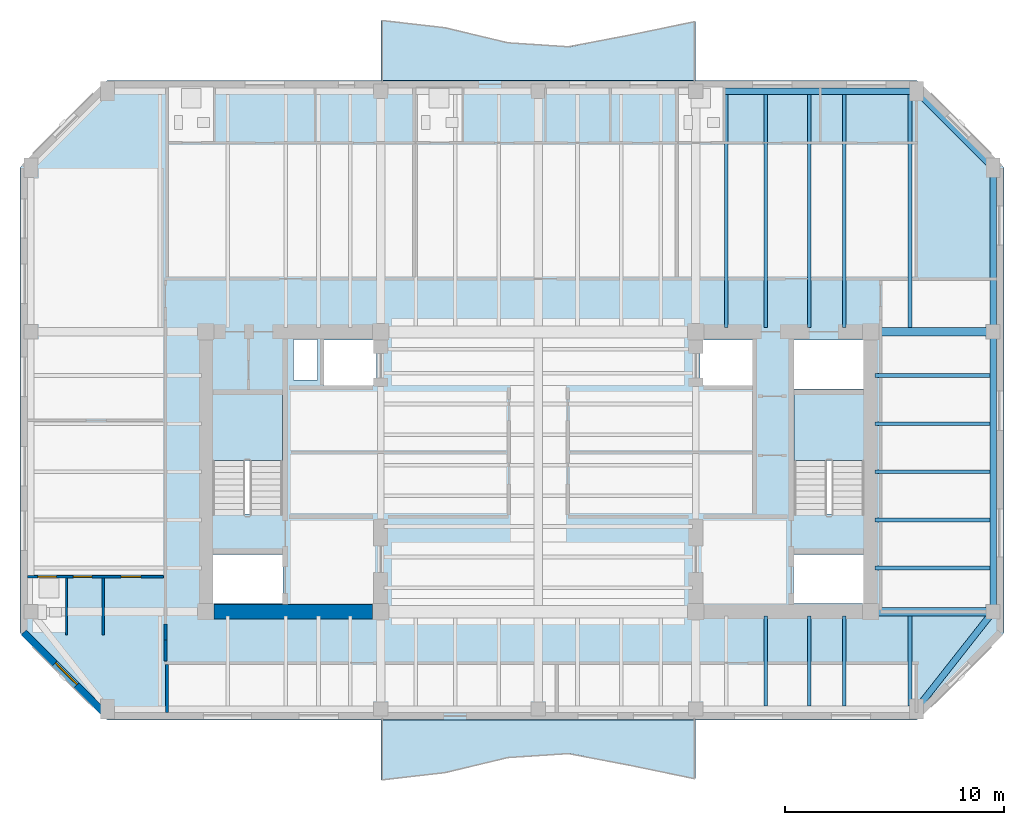
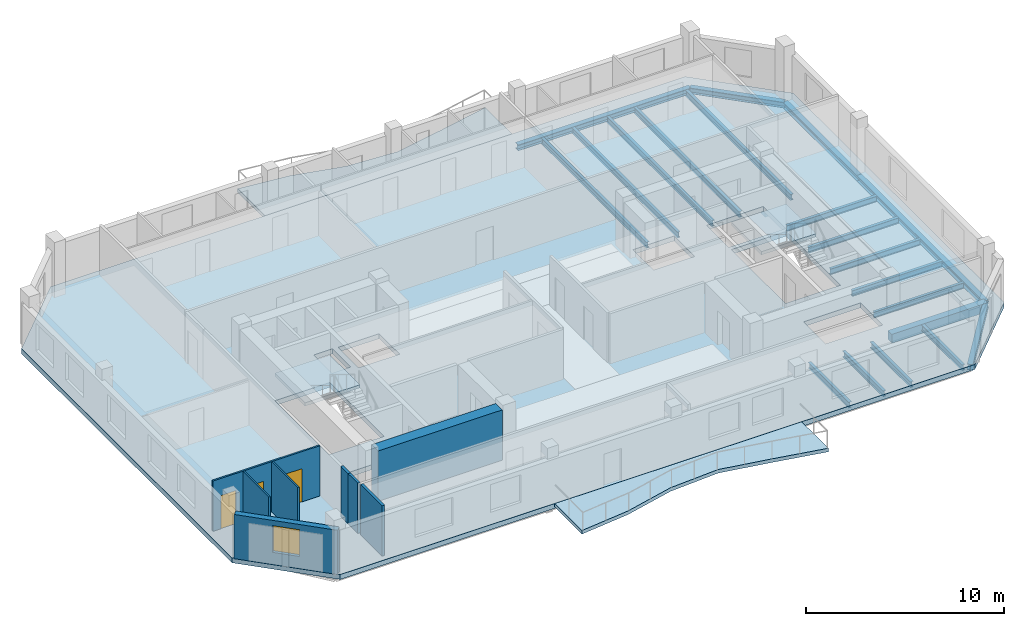
# One storey, part 2 of 10: 21 beams, 8 walls, 5 slabs, 3 doors, 1 window, 4 openings, 2 elements without a shape of their own.
"""IFC4 building model written with IfcOpenShell, lengths in metres."""

from ifc_helpers import new_model, si_unit, direction, frame, frame_2d, origin, origin_2d, place, context, subcontext, project, spatial, polyline, rectangle, i_section, outline, extrude, material, layer, layer_set, material_profile, profile_set, type_object, element, fill, aggregate, save


model = new_model("IFC4")

# Units and contexts
model_context = context("Model", 3, precision=1e-05, world=origin(), true_north=direction((0.0, 1.0)))
body_context = subcontext(model_context, "Body", "Model", "MODEL_VIEW")
ifc_project = project(units=[si_unit("LENGTHUNIT", "METRE"), si_unit("AREAUNIT", "SQUARE_METRE"), si_unit("VOLUMEUNIT", "CUBIC_METRE"), si_unit("PLANEANGLEUNIT", "RADIAN"), si_unit("MASSUNIT", "GRAM", prefix="KILO")], contexts=[model_context])

# Site, building, storey
site_placement = place(None, origin())
site = spatial("IfcSite", under=ifc_project, at=site_placement, CompositionType="ELEMENT")
building_placement = place(site_placement, origin())
building = spatial("IfcBuilding", under=site, at=building_placement, Name="Kranthara Brick Stack", CompositionType="ELEMENT")
storey_placement = place(building_placement, frame((0.0, 0.0, 275.5)))
storey = spatial("IfcBuildingStorey", under=building, at=storey_placement, Name="L73", CompositionType="ELEMENT", Elevation=275.5)

# Beams
ifc_material_1 = material(Name="Post-tensioned concrete C45/55", Category="concrete")
ifc_material_profile_1 = material_profile(ifc_material_1, rectangle(XDim=0.39990234375, YDim=0.550048828125, at=origin_2d()), Name="PT 400x550")
ifc_profile_set_1 = profile_set([ifc_material_profile_1], Name="Post-tensioned concrete C45/55")
beam_type_1 = type_object("IfcBeamType", Name="BM-FLR-PT550", PredefinedType="BEAM", material=ifc_profile_set_1)
for number, where, z_axis, x_axis, name in (
    (1, (43.199951171875, 20.800048828125, -0.574951171875), (1.0, 0.0, 0.0), (0.0, 1.0, 0.0), "L73 Primary Grid Girder 029"),
    (2, (43.199951171875, 33.60009765625, -0.574951171875), (1.0, 0.0, 0.0), (0.0, 1.0, 0.0), "L73 Primary Grid Girder 031"),
):
    element("IfcBeam", number, at=place(storey_placement, frame(where, z_axis=z_axis, x_axis=x_axis)), inside=storey, type_object=beam_type_1, Name=name, PredefinedType="BEAM", context=body_context, shape_type="SweptSolid", body=[
        extrude(rectangle(XDim=0.39990234375, YDim=0.550048828125, at=origin_2d()), origin(), (0.0, 0.0, 1.0), 5.60009765625),
    ])
ifc_material_2 = material(Name="Steel S355", Category="steel")
ifc_material_profile_2 = material_profile(ifc_material_2, i_section(OverallWidth=0.169921875, OverallDepth=0.360107421875, WebThickness=0.008056640625, FlangeThickness=0.0126953125, at=origin_2d()), Name="IPE 360")
ifc_profile_set_2 = profile_set([ifc_material_profile_2], Name="Steel S355")
beam_type_2 = type_object("IfcBeamType", Name="BM-JST-IPE360", PredefinedType="JOIST", material=ifc_profile_set_2)
beam_1_placement = place(storey_placement, frame((36.60009765625, 33.800048828125, -0.47998046875), z_axis=(0.0, 1.0, 0.0), x_axis=(-1.0, 0.0, 0.0)))
element("IfcBeam", 3, at=beam_1_placement, inside=storey, type_object=beam_type_2, Name="L73 North Wing Floor Joist 073", PredefinedType="JOIST", context=body_context, shape_type="SweptSolid", body=[
    extrude(i_section(OverallWidth=0.169921875, OverallDepth=0.360107421875, WebThickness=0.008056640625, FlangeThickness=0.0126953125, at=origin_2d()), origin(), (0.0, 0.0, 1.0), 10.64990234375),
])
beam_2_placement = place(storey_placement, frame((38.39990234375, 16.5, -0.47998046875), z_axis=(0.0, 1.0, 0.0), x_axis=(-1.0, 0.0, 0.0)))
element("IfcBeam", 4, at=beam_2_placement, inside=storey, type_object=beam_type_2, Name="L73 South Wing Floor Joist 074", PredefinedType="JOIST", context=body_context, shape_type="SweptSolid", body=[
    extrude(i_section(OverallWidth=0.169921875, OverallDepth=0.360107421875, WebThickness=0.008056640625, FlangeThickness=0.0126953125, at=origin_2d()), origin(), (0.0, 0.0, 1.0), 4.10009765625),
])
beam_3_placement = place(storey_placement, frame((38.39990234375, 33.800048828125, -0.47998046875), z_axis=(0.0, 1.0, 0.0), x_axis=(-1.0, 0.0, 0.0)))
element("IfcBeam", 5, at=beam_3_placement, inside=storey, type_object=beam_type_2, Name="L73 North Wing Floor Joist 075", PredefinedType="JOIST", context=body_context, shape_type="SweptSolid", body=[
    extrude(i_section(OverallWidth=0.169921875, OverallDepth=0.360107421875, WebThickness=0.008056640625, FlangeThickness=0.0126953125, at=origin_2d()), origin(), (0.0, 0.0, 1.0), 10.64990234375),
])
beam_4_placement = place(storey_placement, frame((40.39990234375, 16.5, -0.47998046875), z_axis=(0.0, 1.0, 0.0), x_axis=(-1.0, 0.0, 0.0)))
element("IfcBeam", 6, at=beam_4_placement, inside=storey, type_object=beam_type_2, Name="L73 South Wing Floor Joist 076", PredefinedType="JOIST", context=body_context, shape_type="SweptSolid", body=[
    extrude(i_section(OverallWidth=0.169921875, OverallDepth=0.360107421875, WebThickness=0.008056640625, FlangeThickness=0.0126953125, at=origin_2d()), origin(), (0.0, 0.0, 1.0), 4.10009765625),
])
beam_5_placement = place(storey_placement, frame((40.39990234375, 33.800048828125, -0.47998046875), z_axis=(0.0, 1.0, 0.0), x_axis=(-1.0, 0.0, 0.0)))
element("IfcBeam", 7, at=beam_5_placement, inside=storey, type_object=beam_type_2, Name="L73 North Wing Floor Joist 077", PredefinedType="JOIST", context=body_context, shape_type="SweptSolid", body=[
    extrude(i_section(OverallWidth=0.169921875, OverallDepth=0.360107421875, WebThickness=0.008056640625, FlangeThickness=0.0126953125, at=origin_2d()), origin(), (0.0, 0.0, 1.0), 10.64990234375),
])
beam_6_placement = place(storey_placement, frame((42.0, 16.5, -0.47998046875), z_axis=(0.0, 1.0, 0.0), x_axis=(-1.0, 0.0, 0.0)))
element("IfcBeam", 8, at=beam_6_placement, inside=storey, type_object=beam_type_2, Name="L73 South Wing Floor Joist 078", PredefinedType="JOIST", context=body_context, shape_type="SweptSolid", body=[
    extrude(i_section(OverallWidth=0.169921875, OverallDepth=0.360107421875, WebThickness=0.008056640625, FlangeThickness=0.0126953125, at=origin_2d()), origin(), (0.0, 0.0, 1.0), 4.10009765625),
])
beam_7_placement = place(storey_placement, frame((42.0, 33.800048828125, -0.47998046875), z_axis=(0.0, 1.0, 0.0), x_axis=(-1.0, 0.0, 0.0)))
element("IfcBeam", 9, at=beam_7_placement, inside=storey, type_object=beam_type_2, Name="L73 North Wing Floor Joist 079", PredefinedType="JOIST", context=body_context, shape_type="SweptSolid", body=[
    extrude(i_section(OverallWidth=0.169921875, OverallDepth=0.360107421875, WebThickness=0.008056640625, FlangeThickness=0.0126953125, at=origin_2d()), origin(), (0.0, 0.0, 1.0), 10.64990234375),
])
beam_8_placement = place(storey_placement, frame((45.0, 16.5, -0.47998046875), z_axis=(0.0, 1.0, 0.0), x_axis=(-1.0, 0.0, 0.0)))
element("IfcBeam", 10, at=beam_8_placement, inside=storey, type_object=beam_type_2, Name="L73 South Wing Floor Joist 080", PredefinedType="JOIST", context=body_context, shape_type="SweptSolid", body=[
    extrude(i_section(OverallWidth=0.169921875, OverallDepth=0.360107421875, WebThickness=0.008056640625, FlangeThickness=0.0126953125, at=origin_2d()), origin(), (0.0, 0.0, 1.0), 4.10009765625),
])
beam_9_placement = place(storey_placement, frame((45.0, 33.800048828125, -0.47998046875), z_axis=(0.0, 1.0, 0.0), x_axis=(-1.0, 0.0, 0.0)))
element("IfcBeam", 11, at=beam_9_placement, inside=storey, type_object=beam_type_2, Name="L73 North Wing Floor Joist 081", PredefinedType="JOIST", context=body_context, shape_type="SweptSolid", body=[
    extrude(i_section(OverallWidth=0.169921875, OverallDepth=0.360107421875, WebThickness=0.008056640625, FlangeThickness=0.0126953125, at=origin_2d()), origin(), (0.0, 0.0, 1.0), 10.64990234375),
])
for number, where, z_axis, x_axis, name in (
    (12, (43.39990234375, 22.800048828125, -0.47998046875), (1.0, 0.0, 0.0), (0.0, 1.0, 0.0), "L73 East Wing Floor Joist 083"),
    (13, (43.39990234375, 25.0, -0.47998046875), (1.0, 0.0, 0.0), (0.0, 1.0, 0.0), "L73 East Wing Floor Joist 085"),
    (14, (43.39990234375, 27.199951171875, -0.47998046875), (1.0, 0.0, 0.0), (0.0, 1.0, 0.0), "L73 East Wing Floor Joist 087"),
    (15, (43.39990234375, 29.39990234375, -0.47998046875), (1.0, 0.0, 0.0), (0.0, 1.0, 0.0), "L73 East Wing Floor Joist 089"),
    (16, (43.39990234375, 31.60009765625, -0.47998046875), (1.0, 0.0, 0.0), (0.0, 1.0, 0.0), "L73 East Wing Floor Joist 091"),
):
    element("IfcBeam", number, at=place(storey_placement, frame(where, z_axis=z_axis, x_axis=x_axis)), inside=storey, type_object=beam_type_2, Name=name, PredefinedType="JOIST", context=body_context, shape_type="SweptSolid", body=[
        extrude(i_section(OverallWidth=0.169921875, OverallDepth=0.360107421875, WebThickness=0.008056640625, FlangeThickness=0.0126953125, at=origin_2d()), origin(), (0.0, 0.0, 1.0), 5.25),
    ])
ifc_material_3 = material(Name="Steel S355", Category="steel")
ifc_material_profile_3 = material_profile(ifc_material_3, i_section(OverallWidth=0.300048828125, OverallDepth=0.360107421875, WebThickness=0.012451171875, FlangeThickness=0.0224609375, at=origin_2d()), Name="HEB 360")
ifc_profile_set_3 = profile_set([ifc_material_profile_3], Name="Steel S355")
beam_type_3 = type_object("IfcBeamType", Name="BM-STL-HEB360", PredefinedType="SPANDREL", material=ifc_profile_set_3)
beam_10_placement = place(storey_placement, frame((35.199951171875, 44.60009765625, -0.47998046875), z_axis=(1.0, 0.0, 0.0), x_axis=(0.0, 1.0, 0.0)))
element("IfcBeam", 17, at=beam_10_placement, inside=storey, type_object=beam_type_3, Name="L73 Perimeter Spandrel Beam 012", PredefinedType="SPANDREL", context=body_context, shape_type="SweptSolid", body=[
    extrude(i_section(OverallWidth=0.300048828125, OverallDepth=0.360107421875, WebThickness=0.012451171875, FlangeThickness=0.0224609375, at=origin_2d()), origin(), (0.0, 0.0, 1.0), 10.10009765625),
])
beam_11_placement = place(storey_placement, frame((48.800048828125, 20.800048828125, -0.47998046875), z_axis=(0.0, 1.0, 0.0), x_axis=(-1.0, 0.0, 0.0)))
element("IfcBeam", 18, at=beam_11_placement, inside=storey, type_object=beam_type_3, Name="L73 Perimeter Spandrel Beam 015", PredefinedType="SPANDREL", context=body_context, shape_type="SweptSolid", body=[
    extrude(i_section(OverallWidth=0.300048828125, OverallDepth=0.360107421875, WebThickness=0.012451171875, FlangeThickness=0.0224609375, at=origin_2d()), origin(), (0.0, 0.0, 1.0), 12.800048828125),
])
beam_12_placement = place(storey_placement, frame((48.800048828125, 33.60009765625, -0.47998046875), z_axis=(0.0, 1.0, 0.0), x_axis=(-1.0, 0.0, 0.0)))
element("IfcBeam", 19, at=beam_12_placement, inside=storey, type_object=beam_type_3, Name="L73 Perimeter Spandrel Beam 016", PredefinedType="SPANDREL", context=body_context, shape_type="SweptSolid", body=[
    extrude(i_section(OverallWidth=0.300048828125, OverallDepth=0.360107421875, WebThickness=0.012451171875, FlangeThickness=0.0224609375, at=origin_2d()), origin(), (0.0, 0.0, 1.0), 7.5),
])
beam_13_placement = place(storey_placement, frame((45.300048828125, 16.35009765625, -0.47998046875), z_axis=(0.618215705636, 0.78600848679, 0.0), x_axis=(-0.78600848679, 0.618215705636, 0.0)))
element("IfcBeam", 20, at=beam_13_placement, inside=storey, type_object=beam_type_3, Name="L73 Chamfer Corner Spandrel 018", PredefinedType="SPANDREL", context=body_context, shape_type="SweptSolid", body=[
    extrude(i_section(OverallWidth=0.300048828125, OverallDepth=0.360107421875, WebThickness=0.012451171875, FlangeThickness=0.0224609375, at=origin_2d()), origin(), (0.0, 0.0, 1.0), 5.661376953125),
])
beam_14_placement = place(storey_placement, frame((45.300048828125, 44.60009765625, -0.47998046875), z_axis=(0.707106781187, -0.707106781187, 0.0), x_axis=(0.707106781187, 0.707106781187, 0.0)))
element("IfcBeam", 21, at=beam_14_placement, inside=storey, type_object=beam_type_3, Name="L73 Chamfer Corner Spandrel 020", PredefinedType="SPANDREL", context=body_context, shape_type="SweptSolid", body=[
    extrude(i_section(OverallWidth=0.300048828125, OverallDepth=0.360107421875, WebThickness=0.012451171875, FlangeThickness=0.0224609375, at=origin_2d()), origin(), (0.0, 0.0, 1.0), 4.94970703125),
])

# Slabs
ifc_material_4 = material(Name="Concrete C45/55", Category="concrete")
ifc_layer_1 = layer(ifc_material_4, 0.219970703125)
ifc_layer_set_1 = layer_set([ifc_layer_1], Name="Concrete C45/55")
slab_type_1 = type_object("IfcSlabType", Name="SLB-BALC-220", PredefinedType="FLOOR", material=ifc_layer_set_1)
slab_1_placement = place(storey_placement, frame((0.0, 0.0, -0.219970703125)))
element("IfcSlab", 22, at=slab_1_placement, inside=storey, type_object=slab_type_1, Name="L73 South Rippling Balcony Slab", PredefinedType="FLOOR", context=body_context, shape_type="SweptSolid", body=[
    extrude(outline(polyline([(20.800048828125, 15.85009765625), (35.199951171875, 15.85009765625), (35.199951171875, 13.158203125), (32.320068359375, 13.759521484375), (29.43994140625, 14.317138671875), (26.56005859375, 14.13037109375), (23.679931640625, 13.43359375), (20.800048828125, 13.103515625), (20.800048828125, 15.85009765625)])), origin(), (0.0, 0.0, 1.0), 0.219970703125),
])
slab_2_placement = place(storey_placement, frame((0.0, 0.0, -0.219970703125)))
element("IfcSlab", 23, at=slab_2_placement, inside=storey, type_object=slab_type_1, Name="L73 North Rippling Balcony Slab", PredefinedType="FLOOR", context=body_context, shape_type="SweptSolid", body=[
    extrude(outline(polyline([(35.199951171875, 45.10009765625), (20.800048828125, 45.10009765625), (20.800048828125, 47.8466796875), (23.679931640625, 47.516357421875), (26.56005859375, 46.81982421875), (29.43994140625, 46.6328125), (32.320068359375, 47.190673828125), (35.199951171875, 47.791748046875), (35.199951171875, 45.10009765625)])), origin(), (0.0, 0.0, 1.0), 0.219970703125),
])

# Stair, slab
ifc_material_5 = material(Name="Concrete C45/55", Category="concrete")
stair_type = type_object("IfcStairType", Name="ST-CORE-20R", PredefinedType="HALF_TURN_STAIR", material=ifc_material_5)
stair_1_placement = place(storey_placement, origin())
stair_1 = element("IfcStair", 24, at=stair_1_placement, inside=storey, type_object=stair_type, Name="L73 West Core Protected Exit Stair ST01", PredefinedType="HALF_TURN_STAIR")
ifc_material_6 = material(Name="Concrete C45/55", Category="concrete")
ifc_layer_2 = layer(ifc_material_6, 0.199951171875)
ifc_layer_set_2 = layer_set([ifc_layer_2], Name="Concrete C45/55")
slab_type_2 = type_object("IfcSlabType", Name="SLB-LANDING-200", PredefinedType="LANDING", material=ifc_layer_set_2)
slab_3_placement = place(storey_placement, frame((0.0, 0.0, 1.5)))
slab_3 = element("IfcSlab", 25, at=slab_3_placement, type_object=slab_type_2, Name="ST01 landing 1", PredefinedType="LANDING", context=body_context, shape_type="SweptSolid", body=[
    extrude(outline(polyline([(16.300048828125, 27.719970703125), (16.300048828125, 30.75), (13.10009765625, 30.75), (13.10009765625, 27.719970703125), (16.300048828125, 27.719970703125)])), origin(), (0.0, 0.0, 1.0), 0.199951171875),
])
aggregate(stair_1, [slab_3])

stair_2_placement = place(storey_placement, origin())
stair_2 = element("IfcStair", 26, at=stair_2_placement, inside=storey, type_object=stair_type, Name="L73 East Core Protected Exit Stair ST02", PredefinedType="HALF_TURN_STAIR")
slab_4_placement = place(storey_placement, frame((0.0, 0.0, 1.5)))
slab_4 = element("IfcSlab", 27, at=slab_4_placement, type_object=slab_type_2, Name="ST02 landing 1", PredefinedType="LANDING", context=body_context, shape_type="SweptSolid", body=[
    extrude(outline(polyline([(42.89990234375, 27.719970703125), (42.89990234375, 30.75), (39.699951171875, 30.75), (39.699951171875, 27.719970703125), (42.89990234375, 27.719970703125)])), origin(), (0.0, 0.0, 1.0), 0.199951171875),
])
aggregate(stair_2, [slab_4])

# Slab
ifc_material_7 = material(Name="Post-tensioned concrete C45/55", Category="concrete")
ifc_layer_3 = layer(ifc_material_7, 0.300048828125)
ifc_layer_set_3 = layer_set([ifc_layer_3], Name="Post-tensioned concrete C45/55")
slab_type_3 = type_object("IfcSlabType", Name="SLB-TWR-300", PredefinedType="FLOOR", material=ifc_layer_set_3)
slab_5_placement = place(storey_placement, frame((0.0, 0.0, -0.300048828125)))
element("IfcSlab", 28, at=slab_5_placement, inside=storey, type_object=slab_type_3, Name="L73 Structural Floor Plate", PredefinedType="FLOOR", context=body_context, shape_type="SweptSolid", body=[
    extrude(outline(polyline([(8.300048828125, 15.85009765625), (45.300048828125, 15.85009765625), (49.300048828125, 19.85009765625), (49.300048828125, 41.10009765625), (45.300048828125, 45.10009765625), (8.300048828125, 45.10009765625), (4.300048828125, 41.10009765625), (4.300048828125, 19.85009765625), (8.300048828125, 15.85009765625)]), holes=[polyline([(13.10009765625, 25.280029296875), (16.300048828125, 25.280029296875), (16.300048828125, 30.75), (13.10009765625, 30.75), (13.10009765625, 25.280029296875)]), polyline([(39.699951171875, 25.280029296875), (42.89990234375, 25.280029296875), (42.89990234375, 30.75), (39.699951171875, 30.75), (39.699951171875, 25.280029296875)]), polyline([(13.0, 21.179931640625), (16.320068359375, 21.179931640625), (16.320068359375, 23.419921875), (13.0, 23.419921875), (13.0, 21.179931640625)]), polyline([(39.679931640625, 21.179931640625), (43.0, 21.179931640625), (43.0, 23.419921875), (39.679931640625, 23.419921875), (39.679931640625, 21.179931640625)]), polyline([(39.679931640625, 30.97998046875), (43.0, 30.97998046875), (43.0, 33.219970703125), (39.679931640625, 33.219970703125), (39.679931640625, 30.97998046875)]), polyline([(18.199951171875, 31.14990234375), (20.60009765625, 31.14990234375), (20.60009765625, 33.219970703125), (18.199951171875, 33.219970703125), (18.199951171875, 31.14990234375)]), polyline([(35.39990234375, 31.14990234375), (37.800048828125, 31.14990234375), (37.800048828125, 33.219970703125), (35.39990234375, 33.219970703125), (35.39990234375, 31.14990234375)]), polyline([(16.800048828125, 31.39990234375), (17.89990234375, 31.39990234375), (17.89990234375, 33.25), (16.800048828125, 33.25), (16.800048828125, 31.39990234375)])]), origin(), (0.0, 0.0, 1.0), 0.300048828125),
])

# Wall, opening, window
ifc_material_8 = material(Name="Warm buff clay brick masonry M15", Category="masonry")
ifc_layer_4 = layer(ifc_material_8, 0.320068359375)
ifc_layer_set_4 = layer_set([ifc_layer_4], Name="Warm buff clay brick masonry M15")
wall_type_1 = type_object("IfcWallType", Name="WL-BRK-UPPR-320", PredefinedType="STANDARD", material=ifc_layer_set_4)
wall_1_placement = place(storey_placement, frame((8.300048828125, 16.030029296875, 0.0), z_axis=(0.0, 0.0, 1.0), x_axis=(-0.707106781187, 0.707106781187, 0.0)))
wall_1 = element("IfcWall", 29, at=wall_1_placement, inside=storey, type_object=wall_type_1, Name="L73 Exterior Brick Facade Wall SW 1", PredefinedType="STANDARD", context=body_context, shape_type="SweptSolid", body=[
    extrude(rectangle(XDim=5.40234375, YDim=0.320068359375, at=frame_2d((2.701171875, 0.0))), origin(), (0.0, 0.0, 1.0), 2.72509765625),
])
opening_1_placement = place(wall_1_placement, frame((2.0009765625, 0.0, 0.75)))
opening_1 = element("IfcOpeningElement", 30, at=opening_1_placement, cuts=wall_1, Name="Opening WN10", PredefinedType="OPENING", context=body_context, shape_type="SweptSolid", body=[
    extrude(rectangle(XDim=1.39990234375, YDim=1.64990234375, at=frame_2d((0.699951171875, 0.824951171875))), frame((0.0, 0.169921875, 0.0), z_axis=(0.0, -1.0, 0.0), x_axis=(1.0, 0.0, 0.0)), (0.0, 0.0, 1.0), 0.340087890625),
])
ifc_material_9 = material(Name="Double-glazed low-E solar control glass", Category="glass")
window_type = type_object("IfcWindowType", Name="WN-CHM-1400x1750", PartitioningType="SINGLE_PANEL", PredefinedType="WINDOW", material=ifc_material_9)
window_placement = place(opening_1_placement, origin())
window = element("IfcWindow", 31, at=window_placement, inside=storey, type_object=window_type, Name="L73 SW Chamfer Corner Window", OverallHeight=1.64990234375, OverallWidth=1.39990234375, PartitioningType="SINGLE_PANEL", PredefinedType="WINDOW", context=body_context, shape_type="SweptSolid", body=[
    extrude(rectangle(XDim=1.39990234375, YDim=1.64990234375, at=frame_2d((0.699951171875, 0.824951171875))), frame((0.0, -0.010009765625, 0.0), z_axis=(0.0, -1.0, 0.0), x_axis=(1.0, 0.0, 0.0)), (0.0, 0.0, 1.0), 0.06005859375),
])
fill(opening_1, window)

# Wall
ifc_material_10 = material(Name="Concrete C60/75", Category="concrete")
ifc_layer_5 = layer(ifc_material_10, 0.64990234375)
ifc_layer_set_5 = layer_set([ifc_layer_5], Name="Concrete C60/75")
wall_type_2 = type_object("IfcWallType", Name="WL-CORE-650", PredefinedType="SHEAR", material=ifc_layer_set_5)
wall_2_placement = place(storey_placement, frame((13.179931640625, 20.800048828125, 0.0), z_axis=(0.0, 0.0, 1.0), x_axis=(1.0, 0.0, 0.0)))
element("IfcWall", 32, at=wall_2_placement, inside=storey, type_object=wall_type_2, Name="L73 West Core Shear Wall South", PredefinedType="SHEAR", context=body_context, shape_type="SweptSolid", body=[
    extrude(rectangle(XDim=7.239990234375, YDim=0.64990234375, at=frame_2d((3.6201171875, 0.0))), origin(), (0.0, 0.0, 1.0), 3.10009765625),
])

# Wall, openings, doors
ifc_material_11 = material(Name="Moisture-resistant wet-room partition", Category="other")
ifc_layer_6 = layer(ifc_material_11, 0.10009765625)
ifc_layer_set_6 = layer_set([ifc_layer_6], Name="Moisture-resistant wet-room partition")
wall_type_3 = type_object("IfcWallType", Name="WL-PART-100", PredefinedType="PARTITIONING", material=ifc_layer_set_6)
wall_3_placement = place(storey_placement, frame((4.64501953125, 22.39990234375, 0.0), z_axis=(0.0, 0.0, 1.0), x_axis=(1.0, 0.0, 0.0)))
wall_3 = element("IfcWall", 33, at=wall_3_placement, inside=storey, type_object=wall_type_3, Name="L73 Interior Partition 034", PredefinedType="PARTITIONING", context=body_context, shape_type="SweptSolid", body=[
    extrude(rectangle(XDim=6.22509765625, YDim=0.10009765625, at=frame_2d((3.112548828125, 0.0))), origin(), (0.0, 0.0, 1.0), 3.10009765625),
])
opening_2_placement = place(wall_3_placement, frame((0.471923828125, 0.0, 0.0)))
opening_2 = element("IfcOpeningElement", 34, at=opening_2_placement, cuts=wall_3, Name="Opening D17", PredefinedType="OPENING", context=body_context, shape_type="SweptSolid", body=[
    extrude(rectangle(XDim=0.85009765625, YDim=2.050048828125, at=frame_2d((0.425048828125, 1.02490234375))), frame((0.0, 0.06005859375, 0.0), z_axis=(0.0, -1.0, 0.0), x_axis=(1.0, 0.0, 0.0)), (0.0, 0.0, 1.0), 0.1201171875),
])
opening_3_placement = place(wall_3_placement, frame((2.092041015625, 0.0, 0.0)))
opening_3 = element("IfcOpeningElement", 35, at=opening_3_placement, cuts=wall_3, Name="Opening D16", PredefinedType="OPENING", context=body_context, shape_type="SweptSolid", body=[
    extrude(rectangle(XDim=0.85009765625, YDim=2.050048828125, at=frame_2d((0.425048828125, 1.02490234375))), frame((0.0, 0.06005859375, 0.0), z_axis=(0.0, -1.0, 0.0), x_axis=(1.0, 0.0, 0.0)), (0.0, 0.0, 1.0), 0.1201171875),
])
opening_4_placement = place(wall_3_placement, frame((4.284912109375, 0.0, 0.0)))
opening_4 = element("IfcOpeningElement", 36, at=opening_4_placement, cuts=wall_3, Name="Opening D15", PredefinedType="OPENING", context=body_context, shape_type="SweptSolid", body=[
    extrude(rectangle(XDim=0.89990234375, YDim=2.050048828125, at=frame_2d((0.449951171875, 1.02490234375))), frame((0.0, 0.06005859375, 0.0), z_axis=(0.0, -1.0, 0.0), x_axis=(1.0, 0.0, 0.0)), (0.0, 0.0, 1.0), 0.1201171875),
])
ifc_material_12 = material(Name="Solid-core hardwood timber leaf in steel frame", Category="steel")
door_type_1 = type_object("IfcDoorType", Name="DR-INT-850", OperationType="NOTDEFINED", PredefinedType="DOOR", material=ifc_material_12)
door_1_placement = place(opening_3_placement, origin())
door_1 = element("IfcDoor", 37, at=door_1_placement, inside=storey, type_object=door_type_1, Name="L73 Unit L73D Kitchen 26", OperationType="SINGLE_SWING_RIGHT", OverallHeight=2.050048828125, OverallWidth=0.85009765625, PredefinedType="DOOR", context=body_context, shape_type="SweptSolid", body=[
    extrude(rectangle(XDim=0.85009765625, YDim=2.050048828125, at=frame_2d((0.425048828125, 1.02490234375))), frame((0.0, 0.02490234375, 0.0), z_axis=(0.0, -1.0, 0.0), x_axis=(1.0, 0.0, 0.0)), (0.0, 0.0, 1.0), 0.050048828125),
])
fill(opening_3, door_1)
ifc_material_13 = material(Name="Solid-core hardwood timber leaf in steel frame", Category="steel")
door_type_2 = type_object("IfcDoorType", Name="DR-INT-900", OperationType="NOTDEFINED", PredefinedType="DOOR", material=ifc_material_13)
door_2_placement = place(opening_4_placement, origin())
door_2 = element("IfcDoor", 38, at=door_2_placement, inside=storey, type_object=door_type_2, Name="L73 Unit L73D Bedroom 27", OperationType="SINGLE_SWING_LEFT", OverallHeight=2.050048828125, OverallWidth=0.89990234375, PredefinedType="DOOR", context=body_context, shape_type="SweptSolid", body=[
    extrude(rectangle(XDim=0.89990234375, YDim=2.050048828125, at=frame_2d((0.449951171875, 1.02490234375))), frame((0.0, 0.02490234375, 0.0), z_axis=(0.0, -1.0, 0.0), x_axis=(1.0, 0.0, 0.0)), (0.0, 0.0, 1.0), 0.050048828125),
])
fill(opening_4, door_2)
ifc_material_14 = material(Name="Solid-core hardwood timber leaf in steel frame", Category="steel")
door_type_3 = type_object("IfcDoorType", Name="DR-WET-850", OperationType="NOTDEFINED", PredefinedType="DOOR", material=ifc_material_14)
door_3_placement = place(opening_2_placement, origin())
door_3 = element("IfcDoor", 39, at=door_3_placement, inside=storey, type_object=door_type_3, Name="L73 Unit L73D Bathroom 25", OperationType="SINGLE_SWING_LEFT", OverallHeight=2.050048828125, OverallWidth=0.85009765625, PredefinedType="DOOR", context=body_context, shape_type="SweptSolid", body=[
    extrude(rectangle(XDim=0.85009765625, YDim=2.050048828125, at=frame_2d((0.425048828125, 1.02490234375))), frame((0.0, 0.02490234375, 0.0), z_axis=(0.0, -1.0, 0.0), x_axis=(1.0, 0.0, 0.0)), (0.0, 0.0, 1.0), 0.050048828125),
])
fill(opening_2, door_3)

# Walls
for number, where, z_axis, x_axis, name in (
    (40, (6.425048828125, 19.72998046875, 0.0), (0.0, 0.0, 1.0), (0.0, 1.0, 0.0), "L73 Interior Partition 036"),
    (41, (8.110107421875, 19.72998046875, 0.0), (0.0, 0.0, 1.0), (0.0, 1.0, 0.0), "L73 Interior Partition 037"),
):
    element("IfcWall", number, at=place(storey_placement, frame(where, z_axis=z_axis, x_axis=x_axis)), inside=storey, type_object=wall_type_3, Name=name, PredefinedType="PARTITIONING", context=body_context, shape_type="SweptSolid", body=[
        extrude(rectangle(XDim=2.614990234375, YDim=0.10009765625, at=frame_2d((1.3076171875, 0.0))), origin(), (0.0, 0.0, 1.0), 3.10009765625),
    ])
ifc_material_15 = material(Name="Fire-rated gypsum board partition", Category="other")
ifc_layer_7 = layer(ifc_material_15, 0.14990234375)
ifc_layer_set_7 = layer_set([ifc_layer_7], Name="Fire-rated gypsum board partition")
wall_type_4 = type_object("IfcWallType", Name="WL-PART-150", PredefinedType="PARTITIONING", material=ifc_layer_set_7)
wall_4_placement = place(storey_placement, frame((11.02001953125, 16.195068359375, 0.0), z_axis=(0.0, 0.0, 1.0), x_axis=(0.0, 1.0, 0.0)))
element("IfcWall", 42, at=wall_4_placement, inside=storey, type_object=wall_type_4, Name="L73 Interior Partition 011", PredefinedType="PARTITIONING", context=body_context, shape_type="SweptSolid", body=[
    extrude(rectangle(XDim=2.184814453125, YDim=0.14990234375, at=frame_2d((1.09228515625, 0.0))), origin(), (0.0, 0.0, 1.0), 3.10009765625),
])
wall_5_placement = place(storey_placement, frame((10.949951171875, 19.5, 0.0), z_axis=(0.0, 0.0, 1.0), x_axis=(0.0, -1.0, 0.0)))
element("IfcWall", 43, at=wall_5_placement, inside=storey, type_object=wall_type_4, Name="L73 Interior Partition 029", PredefinedType="PARTITIONING", context=body_context, shape_type="SweptSolid", body=[
    extrude(rectangle(XDim=0.9599609375, YDim=0.14990234375, at=frame_2d((0.47998046875, 0.0))), origin(), (0.0, 0.0, 1.0), 3.10009765625),
])
wall_6_placement = place(storey_placement, frame((10.949951171875, 19.510009765625, 0.0), z_axis=(0.0, 0.0, 1.0), x_axis=(0.0, 1.0, 0.0)))
element("IfcWall", 44, at=wall_6_placement, inside=storey, type_object=wall_type_4, Name="L73 Interior Partition 030", PredefinedType="PARTITIONING", context=body_context, shape_type="SweptSolid", body=[
    extrude(rectangle(XDim=0.739990234375, YDim=0.14990234375, at=frame_2d((0.3701171875, 0.0))), origin(), (0.0, 0.0, 1.0), 3.10009765625),
])

save(model, "model.ifc")
